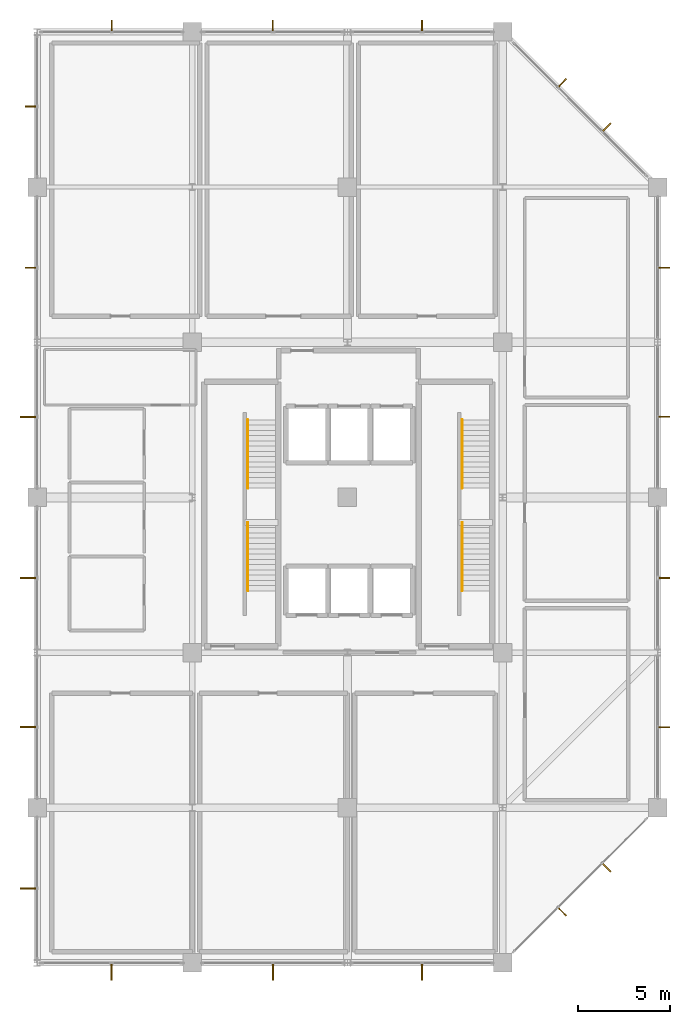
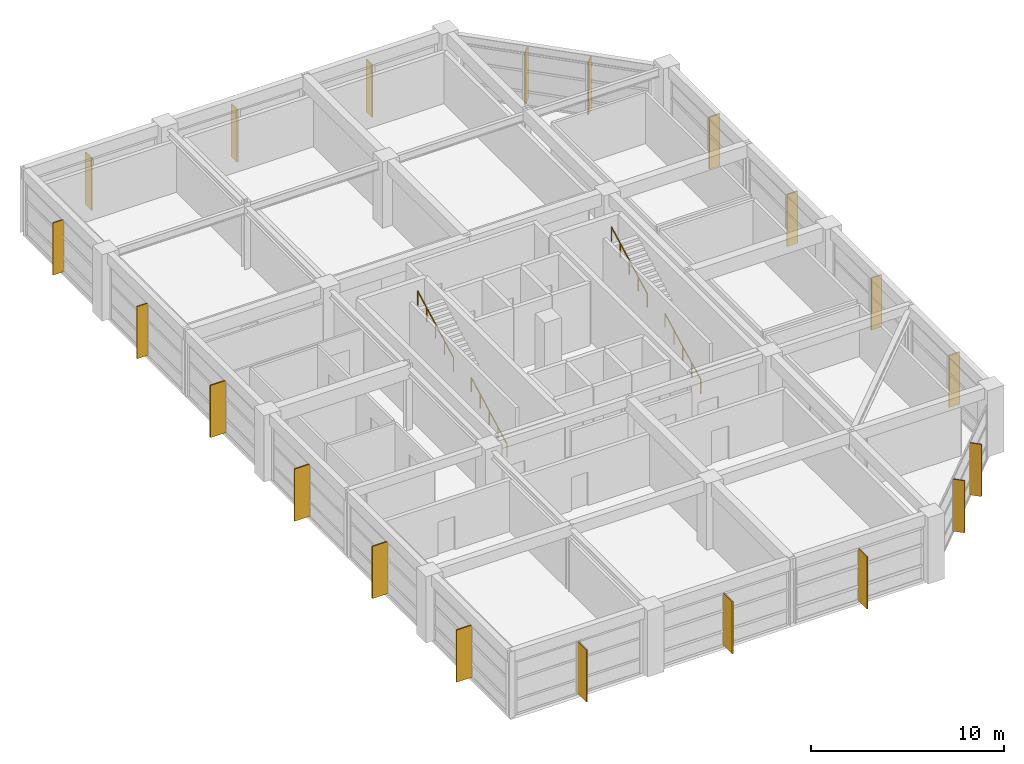
# One storey, part 15 of 15: 20 shading devices, 4 railings.
"""IFC4 building model written with IfcOpenShell, lengths in metres."""

from ifc_helpers import new_model, si_unit, direction, frame, origin, origin_2d, place, context, subcontext, project, spatial, rectangle, circle, extrude, material, type_object, element, save


model = new_model("IFC4")

# Units and contexts
model_context = context("Model", 3, precision=1e-05, world=origin(), true_north=direction((0.0, 1.0)))
body_context = subcontext(model_context, "Body", "Model", "MODEL_VIEW")
ifc_project = project(units=[si_unit("LENGTHUNIT", "METRE"), si_unit("AREAUNIT", "SQUARE_METRE"), si_unit("VOLUMEUNIT", "CUBIC_METRE"), si_unit("PLANEANGLEUNIT", "RADIAN"), si_unit("MASSUNIT", "GRAM", prefix="KILO")], contexts=[model_context])

# Site, building, storey
site_placement = place(None, origin())
site = spatial("IfcSite", under=ifc_project, at=site_placement, CompositionType="ELEMENT")
building_placement = place(site_placement, origin())
building = spatial("IfcBuilding", under=site, at=building_placement, Name="Xuanlan Plaza Opera House", CompositionType="ELEMENT")
storey_placement = place(building_placement, frame((0.0, 0.0, 53.10009765625)))
storey = spatial("IfcBuildingStorey", under=building, at=storey_placement, Name="L12", CompositionType="ELEMENT", Elevation=53.10009765625)

# Shading devices
ifc_material_1 = material(Name="Anodised Aluminium 6063-T6", Category="aluminium")
shading_device_type_1 = type_object("IfcShadingDeviceType", Name="ENV-SHD-BRS01", PredefinedType="JALOUSIE", material=ifc_material_1)
for number, where, z_axis, x_axis, name in (
    (1, (154.429443359375, 36.369873046875, 0.0400390625), (0.0, 0.0, 1.0), (0.707106781187, -0.707106781187, 0.0), "Parametric Sunshade Fin L12-0406"),
    (2, (156.830078125, 38.7705078125, 0.0400390625), (0.0, 0.0, 1.0), (0.707106781187, -0.707106781187, 0.0), "Parametric Sunshade Fin L12-0407"),
    (3, (159.925048828125, 46.362548828125, 0.0400390625), (0.0, 0.0, 1.0), (1.0, 0.0, 0.0), "Parametric Sunshade Fin L12-0408"),
    (4, (159.925048828125, 54.4375, 0.0400390625), (0.0, 0.0, 1.0), (1.0, 0.0, 0.0), "Parametric Sunshade Fin L12-0409"),
    (5, (159.925048828125, 63.16259765625, 0.0400390625), (0.0, 0.0, 1.0), (1.0, 0.0, 0.0), "Parametric Sunshade Fin L12-0410"),
    (6, (159.925048828125, 71.237548828125, 0.0400390625), (0.0, 0.0, 1.0), (1.0, 0.0, 0.0), "Parametric Sunshade Fin L12-0411"),
    (7, (156.830078125, 78.82958984375, 0.0400390625), (0.0, 0.0, 1.0), (0.707106781187, 0.707106781187, 0.0), "Parametric Sunshade Fin L12-0412"),
    (8, (154.429443359375, 81.22998046875, 0.0400390625), (0.0, 0.0, 1.0), (0.707106781187, 0.707106781187, 0.0), "Parametric Sunshade Fin L12-0413"),
    (9, (146.83740234375, 84.324951171875, 0.0400390625), (0.0, 0.0, 1.0), (0.0, 1.0, 0.0), "Parametric Sunshade Fin L12-0414"),
    (10, (138.762451171875, 84.324951171875, 0.0400390625), (0.0, 0.0, 1.0), (0.0, 1.0, 0.0), "Parametric Sunshade Fin L12-0415"),
    (11, (130.03759765625, 84.324951171875, 0.0400390625), (0.0, 0.0, 1.0), (0.0, 1.0, 0.0), "Parametric Sunshade Fin L12-0416"),
    (12, (125.675048828125, 79.96240234375, 0.0400390625), (0.0, 0.0, 1.0), (-1.0, 0.0, 0.0), "Parametric Sunshade Fin L12-0417"),
    (13, (125.675048828125, 71.237548828125, 0.0400390625), (0.0, 0.0, 1.0), (-1.0, 0.0, 0.0), "Parametric Sunshade Fin L12-0418"),
):
    element("IfcShadingDevice", number, at=place(storey_placement, frame(where, z_axis=z_axis, x_axis=x_axis)), inside=storey, type_object=shading_device_type_1, Name=name, PredefinedType="JALOUSIE", context=body_context, shape_type="SweptSolid", body=[
        extrude(rectangle(XDim=0.639892578125, YDim=0.070068359375, at=origin_2d()), origin(), (0.0, 0.0, 1.0), 3.300048828125),
    ])
shading_device_type_2 = type_object("IfcShadingDeviceType", Name="ENV-SHD-BRS02", PredefinedType="JALOUSIE", material=ifc_material_1)
for number, where, z_axis, x_axis, name in (
    (14, (130.03759765625, 33.135009765625, 0.0400390625), (0.0, 0.0, 1.0), (0.0, -1.0, 0.0), "Parametric Sunshade Fin L12-0403"),
    (15, (138.762451171875, 33.135009765625, 0.0400390625), (0.0, 0.0, 1.0), (0.0, -1.0, 0.0), "Parametric Sunshade Fin L12-0404"),
    (16, (146.83740234375, 33.135009765625, 0.0400390625), (0.0, 0.0, 1.0), (0.0, -1.0, 0.0), "Parametric Sunshade Fin L12-0405"),
    (17, (125.534912109375, 63.16259765625, 0.0400390625), (0.0, 0.0, 1.0), (-1.0, 0.0, 0.0), "Parametric Sunshade Fin L12-0419"),
    (18, (125.534912109375, 54.4375, 0.0400390625), (0.0, 0.0, 1.0), (-1.0, 0.0, 0.0), "Parametric Sunshade Fin L12-0420"),
    (19, (125.534912109375, 46.362548828125, 0.0400390625), (0.0, 0.0, 1.0), (-1.0, 0.0, 0.0), "Parametric Sunshade Fin L12-0421"),
    (20, (125.534912109375, 37.637451171875, 0.0400390625), (0.0, 0.0, 1.0), (-1.0, 0.0, 0.0), "Parametric Sunshade Fin L12-0422"),
):
    element("IfcShadingDevice", number, at=place(storey_placement, frame(where, z_axis=z_axis, x_axis=x_axis)), inside=storey, type_object=shading_device_type_2, Name=name, PredefinedType="JALOUSIE", context=body_context, shape_type="SweptSolid", body=[
        extrude(rectangle(XDim=0.919921875, YDim=0.080078125, at=origin_2d()), origin(), (0.0, 0.0, 1.0), 3.300048828125),
    ])

# Railings
ifc_material_2 = material(Name="Stainless Steel S30408", Category="steel")
railing_type = type_object("IfcRailingType", Name="INT-RL-HR01", PredefinedType="HANDRAIL", material=ifc_material_2)
for number, where, name in (
    (21, (137.409912109375, 53.739990234375, 0.14990234375), "Stair Handrail ST-T1 L12 Flight 1"),
    (22, (137.409912109375, 59.294921875, 2.25), "Stair Handrail ST-T1 L12 Flight 2"),
    (23, (149.010009765625, 53.739990234375, 0.14990234375), "Stair Handrail ST-T2 L12 Flight 1"),
    (24, (149.010009765625, 59.294921875, 2.25), "Stair Handrail ST-T2 L12 Flight 2"),
):
    element("IfcRailing", number, at=place(storey_placement, frame(where)), inside=storey, type_object=railing_type, Name=name, PredefinedType="HANDRAIL", context=body_context, shape_type="SweptSolid", body=[
        extrude(circle(Radius=0.02392578125, at=origin_2d()), frame((0.0, 0.0, 0.8759765625), z_axis=(0.0, 0.88492707638, 0.465729609848), x_axis=(-1.0, 0.0, 0.0)), (0.0, 0.0, 1.0), 4.186767578125),
        extrude(circle(Radius=0.02099609375, at=origin_2d()), origin(), (0.0, 0.0, 1.0), 0.851806640625),
        extrude(circle(Radius=0.02099609375, at=origin_2d()), frame((0.0, 0.92626953125, 0.487548828125)), (0.0, 0.0, 1.0), 0.851806640625),
        extrude(circle(Radius=0.02099609375, at=origin_2d()), frame((0.0, 1.8525390625, 0.97509765625)), (0.0, 0.0, 1.0), 0.851806640625),
        extrude(circle(Radius=0.02099609375, at=origin_2d()), frame((0.0, 2.77880859375, 1.46240234375)), (0.0, 0.0, 1.0), 0.851806640625),
        extrude(circle(Radius=0.02099609375, at=origin_2d()), frame((0.0, 3.705078125, 1.949951171875)), (0.0, 0.0, 1.0), 0.851806640625),
    ])

save(model, "model.ifc")
